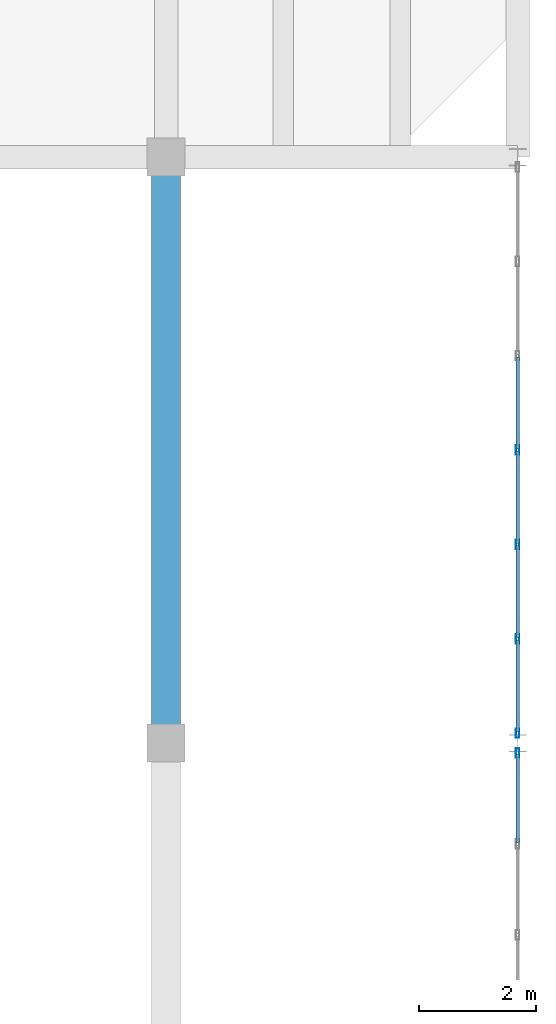
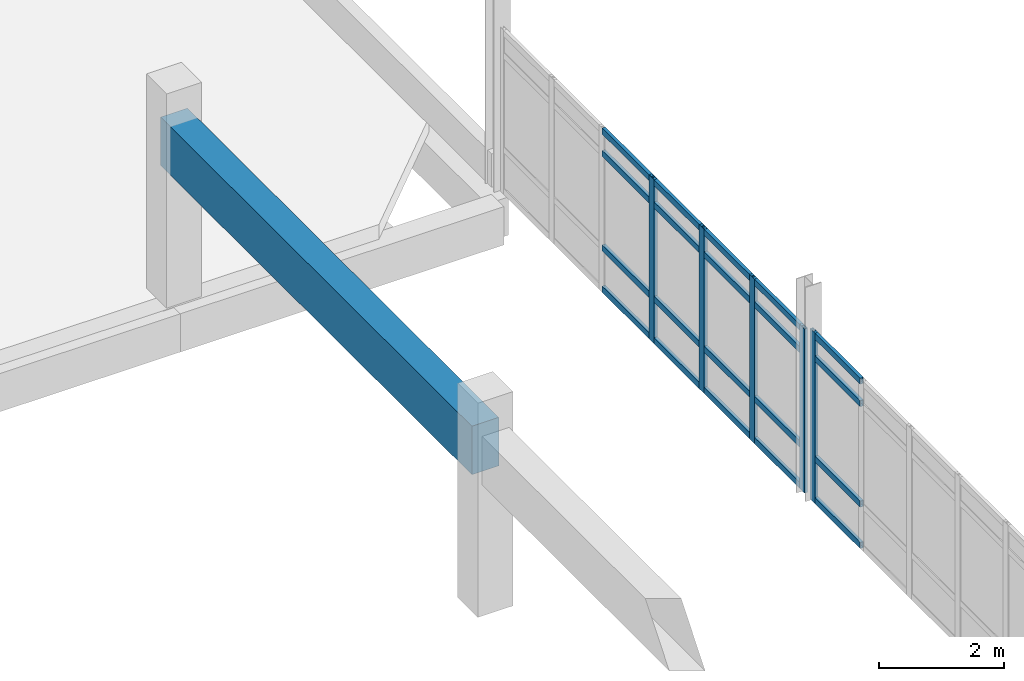
# One storey, part 86 of 111: 25 members, 1 beam, 2 elements without a shape of their own.
"""IFC4 building model written with IfcOpenShell, lengths in metres."""

from ifc_helpers import new_model, si_unit, direction, frame, origin, origin_2d, place, context, subcontext, project, spatial, rectangle, hollow_rectangle, extrude, material, layer, layer_set, material_profile, profile_set, type_object, element, aggregate, save


model = new_model("IFC4")

# Units and contexts
model_context = context("Model", 3, precision=1e-05, world=origin(), true_north=direction((0.0, 1.0)))
body_context = subcontext(model_context, "Body", "Model", "MODEL_VIEW")
ifc_project = project(units=[si_unit("LENGTHUNIT", "METRE"), si_unit("AREAUNIT", "SQUARE_METRE"), si_unit("VOLUMEUNIT", "CUBIC_METRE"), si_unit("PLANEANGLEUNIT", "RADIAN"), si_unit("MASSUNIT", "GRAM", prefix="KILO")], contexts=[model_context])

# Site, building, storey
site_placement = place(None, origin())
site = spatial("IfcSite", under=ifc_project, at=site_placement, CompositionType="ELEMENT")
building_placement = place(site_placement, origin())
building = spatial("IfcBuilding", under=site, at=building_placement, Name="Mersad Railyard Sports Hall", CompositionType="ELEMENT")
storey_placement = place(building_placement, frame((0.0, 0.0, 9.0)))
storey = spatial("IfcBuildingStorey", under=building, at=storey_placement, Name="L02", CompositionType="ELEMENT", Elevation=9.0)

# Curtain wall, member
ifc_material_1 = material(Name="Aluminium 6063-T6", Category="aluminium")
ifc_layer_1 = layer(ifc_material_1, 0.159912109375)
ifc_layer_set_1 = layer_set([ifc_layer_1], Name="Aluminium 6063-T6")
curtain_wall_type_1 = type_object("IfcCurtainWallType", Name="ARC-CW-CW20", PredefinedType="USERDEFINED", material=ifc_layer_set_1)
curtain_wall_1_placement = place(storey_placement, origin())
curtain_wall_1 = element("IfcCurtainWall", 1, at=curtain_wall_1_placement, inside=storey, type_object=curtain_wall_type_1, Name="Curtain wall CW20-0059", ObjectType="CURTAIN WALL", PredefinedType="USERDEFINED")
ifc_material_profile_1 = material_profile(ifc_material_1, hollow_rectangle(XDim=0.06005859375, YDim=0.159912109375, WallThickness=0.00390625, at=origin_2d()), Name="AL MULLION 60x160x4")
ifc_profile_set_1 = profile_set([ifc_material_profile_1], Name="Aluminium 6063-T6")
member_type_1 = type_object("IfcMemberType", Name="ARC-CW-MUL01", PredefinedType="MULLION", material=ifc_profile_set_1)
member_1_placement = place(storey_placement, frame((179.0, 84.830078125, -0.02001953125), z_axis=(0.0, 0.0, 1.0), x_axis=(1.0, 0.0, 0.0)))
member_1 = element("IfcMember", 2, at=member_1_placement, type_object=member_type_1, Name="CW20 Mullion 1", PredefinedType="MULLION", context=body_context, shape_type="SweptSolid", body=[
    extrude(hollow_rectangle(XDim=0.06005859375, YDim=0.159912109375, WallThickness=0.00390625, at=origin_2d()), origin(), (0.0, 0.0, 1.0), 3.340087890625),
])

# Curtain wall, members
ifc_layer_2 = layer(ifc_material_1, 0.159912109375)
ifc_layer_set_2 = layer_set([ifc_layer_2], Name="Aluminium 6063-T6")
curtain_wall_type_2 = type_object("IfcCurtainWallType", Name="ARC-CW-CW23", PredefinedType="USERDEFINED", material=ifc_layer_set_2)
curtain_wall_2_placement = place(storey_placement, origin())
curtain_wall_2 = element("IfcCurtainWall", 3, at=curtain_wall_2_placement, inside=storey, type_object=curtain_wall_type_2, Name="Curtain wall CW23-0062", ObjectType="CURTAIN WALL", PredefinedType="USERDEFINED")
member_2_placement = place(storey_placement, frame((179.0, 90.0, -0.02001953125), z_axis=(0.0, 0.0, 1.0), x_axis=(1.0, 0.0, 0.0)))
member_2 = element("IfcMember", 4, at=member_2_placement, type_object=member_type_1, Name="CW23 Mullion 4", PredefinedType="MULLION", context=body_context, shape_type="SweptSolid", body=[
    extrude(hollow_rectangle(XDim=0.06005859375, YDim=0.159912109375, WallThickness=0.00390625, at=origin_2d()), origin(), (0.0, 0.0, 1.0), 3.219970703125),
])
member_3_placement = place(storey_placement, frame((179.0, 88.389892578125, -0.02001953125), z_axis=(0.0, 0.0, 1.0), x_axis=(1.0, 0.0, 0.0)))
member_3 = element("IfcMember", 5, at=member_3_placement, type_object=member_type_1, Name="CW23 Mullion 5", PredefinedType="MULLION", context=body_context, shape_type="SweptSolid", body=[
    extrude(hollow_rectangle(XDim=0.06005859375, YDim=0.159912109375, WallThickness=0.00390625, at=origin_2d()), origin(), (0.0, 0.0, 1.0), 3.219970703125),
])
member_4_placement = place(storey_placement, frame((179.0, 86.780029296875, -0.02001953125), z_axis=(0.0, 0.0, 1.0), x_axis=(1.0, 0.0, 0.0)))
member_4 = element("IfcMember", 6, at=member_4_placement, type_object=member_type_1, Name="CW23 Mullion 6", PredefinedType="MULLION", context=body_context, shape_type="SweptSolid", body=[
    extrude(hollow_rectangle(XDim=0.06005859375, YDim=0.159912109375, WallThickness=0.00390625, at=origin_2d()), origin(), (0.0, 0.0, 1.0), 3.219970703125),
])
member_5_placement = place(storey_placement, frame((179.0, 85.169921875, -0.02001953125), z_axis=(0.0, 0.0, 1.0), x_axis=(1.0, 0.0, 0.0)))
member_5 = element("IfcMember", 7, at=member_5_placement, type_object=member_type_1, Name="CW23 Mullion 7", PredefinedType="MULLION", context=body_context, shape_type="SweptSolid", body=[
    extrude(hollow_rectangle(XDim=0.06005859375, YDim=0.159912109375, WallThickness=0.00390625, at=origin_2d()), origin(), (0.0, 0.0, 1.0), 3.219970703125),
])

# Member
ifc_material_profile_2 = material_profile(ifc_material_1, hollow_rectangle(XDim=0.06005859375, YDim=0.1201171875, WallThickness=0.00390625, at=origin_2d()), Name="AL TRANSOM 60x120x4")
ifc_profile_set_2 = profile_set([ifc_material_profile_2], Name="Aluminium 6063-T6")
member_type_2 = type_object("IfcMemberType", Name="ARC-CW-TRN01", PredefinedType="USERDEFINED", material=ifc_profile_set_2)
member_6_placement = place(storey_placement, frame((179.0, 84.81005859375, 0.0400390625), z_axis=(0.0, -1.0, 0.0), x_axis=(1.0, 0.0, 0.0)))
member_6 = element("IfcMember", 8, at=member_6_placement, type_object=member_type_2, Name="CW20 Transom 1-1", ObjectType="TRANSOM", PredefinedType="USERDEFINED", context=body_context, shape_type="SweptSolid", body=[
    extrude(hollow_rectangle(XDim=0.06005859375, YDim=0.1201171875, WallThickness=0.00390625, at=origin_2d()), origin(), (0.0, 0.0, 1.0), 1.511474609375),
])

member_7_placement = place(storey_placement, frame((179.0, 84.81005859375, 0.85009765625), z_axis=(0.0, -1.0, 0.0), x_axis=(1.0, 0.0, 0.0)))
member_7 = element("IfcMember", 9, at=member_7_placement, type_object=member_type_2, Name="CW20 Transom 2-1", ObjectType="TRANSOM", PredefinedType="USERDEFINED", context=body_context, shape_type="SweptSolid", body=[
    extrude(hollow_rectangle(XDim=0.06005859375, YDim=0.1201171875, WallThickness=0.00390625, at=origin_2d()), origin(), (0.0, 0.0, 1.0), 1.511474609375),
])

member_8_placement = place(storey_placement, frame((179.0, 84.81005859375, 2.820068359375), z_axis=(0.0, -1.0, 0.0), x_axis=(1.0, 0.0, 0.0)))
member_8 = element("IfcMember", 10, at=member_8_placement, type_object=member_type_2, Name="CW20 Transom 3-1", ObjectType="TRANSOM", PredefinedType="USERDEFINED", context=body_context, shape_type="SweptSolid", body=[
    extrude(hollow_rectangle(XDim=0.06005859375, YDim=0.1201171875, WallThickness=0.00390625, at=origin_2d()), origin(), (0.0, 0.0, 1.0), 1.511474609375),
])

member_9_placement = place(storey_placement, frame((179.0, 84.81005859375, 3.260009765625), z_axis=(0.0, -1.0, 0.0), x_axis=(1.0, 0.0, 0.0)))
member_9 = element("IfcMember", 11, at=member_9_placement, type_object=member_type_2, Name="CW20 Transom 4-1", ObjectType="TRANSOM", PredefinedType="USERDEFINED", context=body_context, shape_type="SweptSolid", body=[
    extrude(hollow_rectangle(XDim=0.06005859375, YDim=0.1201171875, WallThickness=0.00390625, at=origin_2d()), origin(), (0.0, 0.0, 1.0), 1.511474609375),
])

aggregate(curtain_wall_1, [member_1, member_6, member_7, member_8, member_9])

member_10_placement = place(storey_placement, frame((179.0, 91.590087890625, 0.0400390625), z_axis=(0.0, -1.0, 0.0), x_axis=(1.0, 0.0, 0.0)))
member_10 = element("IfcMember", 12, at=member_10_placement, type_object=member_type_2, Name="CW23 Transom 1-3", ObjectType="TRANSOM", PredefinedType="USERDEFINED", context=body_context, shape_type="SweptSolid", body=[
    extrude(hollow_rectangle(XDim=0.06005859375, YDim=0.1201171875, WallThickness=0.00390625, at=origin_2d()), origin(), (0.0, 0.0, 1.0), 1.570068359375),
])

member_11_placement = place(storey_placement, frame((179.0, 89.97998046875, 0.0400390625), z_axis=(0.0, -1.0, 0.0), x_axis=(1.0, 0.0, 0.0)))
member_11 = element("IfcMember", 13, at=member_11_placement, type_object=member_type_2, Name="CW23 Transom 1-4", ObjectType="TRANSOM", PredefinedType="USERDEFINED", context=body_context, shape_type="SweptSolid", body=[
    extrude(hollow_rectangle(XDim=0.06005859375, YDim=0.1201171875, WallThickness=0.00390625, at=origin_2d()), origin(), (0.0, 0.0, 1.0), 1.570068359375),
])

member_12_placement = place(storey_placement, frame((179.0, 88.3701171875, 0.0400390625), z_axis=(0.0, -1.0, 0.0), x_axis=(1.0, 0.0, 0.0)))
member_12 = element("IfcMember", 14, at=member_12_placement, type_object=member_type_2, Name="CW23 Transom 1-5", ObjectType="TRANSOM", PredefinedType="USERDEFINED", context=body_context, shape_type="SweptSolid", body=[
    extrude(hollow_rectangle(XDim=0.06005859375, YDim=0.1201171875, WallThickness=0.00390625, at=origin_2d()), origin(), (0.0, 0.0, 1.0), 1.570068359375),
])

member_13_placement = place(storey_placement, frame((179.0, 86.760009765625, 0.0400390625), z_axis=(0.0, -1.0, 0.0), x_axis=(1.0, 0.0, 0.0)))
member_13 = element("IfcMember", 15, at=member_13_placement, type_object=member_type_2, Name="CW23 Transom 1-6", ObjectType="TRANSOM", PredefinedType="USERDEFINED", context=body_context, shape_type="SweptSolid", body=[
    extrude(hollow_rectangle(XDim=0.06005859375, YDim=0.1201171875, WallThickness=0.00390625, at=origin_2d()), origin(), (0.0, 0.0, 1.0), 1.570068359375),
])

member_14_placement = place(storey_placement, frame((179.0, 91.590087890625, 0.85009765625), z_axis=(0.0, -1.0, 0.0), x_axis=(1.0, 0.0, 0.0)))
member_14 = element("IfcMember", 16, at=member_14_placement, type_object=member_type_2, Name="CW23 Transom 2-3", ObjectType="TRANSOM", PredefinedType="USERDEFINED", context=body_context, shape_type="SweptSolid", body=[
    extrude(hollow_rectangle(XDim=0.06005859375, YDim=0.1201171875, WallThickness=0.00390625, at=origin_2d()), origin(), (0.0, 0.0, 1.0), 1.570068359375),
])

member_15_placement = place(storey_placement, frame((179.0, 89.97998046875, 0.85009765625), z_axis=(0.0, -1.0, 0.0), x_axis=(1.0, 0.0, 0.0)))
member_15 = element("IfcMember", 17, at=member_15_placement, type_object=member_type_2, Name="CW23 Transom 2-4", ObjectType="TRANSOM", PredefinedType="USERDEFINED", context=body_context, shape_type="SweptSolid", body=[
    extrude(hollow_rectangle(XDim=0.06005859375, YDim=0.1201171875, WallThickness=0.00390625, at=origin_2d()), origin(), (0.0, 0.0, 1.0), 1.570068359375),
])

member_16_placement = place(storey_placement, frame((179.0, 88.3701171875, 0.85009765625), z_axis=(0.0, -1.0, 0.0), x_axis=(1.0, 0.0, 0.0)))
member_16 = element("IfcMember", 18, at=member_16_placement, type_object=member_type_2, Name="CW23 Transom 2-5", ObjectType="TRANSOM", PredefinedType="USERDEFINED", context=body_context, shape_type="SweptSolid", body=[
    extrude(hollow_rectangle(XDim=0.06005859375, YDim=0.1201171875, WallThickness=0.00390625, at=origin_2d()), origin(), (0.0, 0.0, 1.0), 1.570068359375),
])

member_17_placement = place(storey_placement, frame((179.0, 86.760009765625, 0.85009765625), z_axis=(0.0, -1.0, 0.0), x_axis=(1.0, 0.0, 0.0)))
member_17 = element("IfcMember", 19, at=member_17_placement, type_object=member_type_2, Name="CW23 Transom 2-6", ObjectType="TRANSOM", PredefinedType="USERDEFINED", context=body_context, shape_type="SweptSolid", body=[
    extrude(hollow_rectangle(XDim=0.06005859375, YDim=0.1201171875, WallThickness=0.00390625, at=origin_2d()), origin(), (0.0, 0.0, 1.0), 1.570068359375),
])

member_18_placement = place(storey_placement, frame((179.0, 91.590087890625, 2.699951171875), z_axis=(0.0, -1.0, 0.0), x_axis=(1.0, 0.0, 0.0)))
member_18 = element("IfcMember", 20, at=member_18_placement, type_object=member_type_2, Name="CW23 Transom 3-3", ObjectType="TRANSOM", PredefinedType="USERDEFINED", context=body_context, shape_type="SweptSolid", body=[
    extrude(hollow_rectangle(XDim=0.06005859375, YDim=0.1201171875, WallThickness=0.00390625, at=origin_2d()), origin(), (0.0, 0.0, 1.0), 1.570068359375),
])

member_19_placement = place(storey_placement, frame((179.0, 89.97998046875, 2.699951171875), z_axis=(0.0, -1.0, 0.0), x_axis=(1.0, 0.0, 0.0)))
member_19 = element("IfcMember", 21, at=member_19_placement, type_object=member_type_2, Name="CW23 Transom 3-4", ObjectType="TRANSOM", PredefinedType="USERDEFINED", context=body_context, shape_type="SweptSolid", body=[
    extrude(hollow_rectangle(XDim=0.06005859375, YDim=0.1201171875, WallThickness=0.00390625, at=origin_2d()), origin(), (0.0, 0.0, 1.0), 1.570068359375),
])

member_20_placement = place(storey_placement, frame((179.0, 88.3701171875, 2.699951171875), z_axis=(0.0, -1.0, 0.0), x_axis=(1.0, 0.0, 0.0)))
member_20 = element("IfcMember", 22, at=member_20_placement, type_object=member_type_2, Name="CW23 Transom 3-5", ObjectType="TRANSOM", PredefinedType="USERDEFINED", context=body_context, shape_type="SweptSolid", body=[
    extrude(hollow_rectangle(XDim=0.06005859375, YDim=0.1201171875, WallThickness=0.00390625, at=origin_2d()), origin(), (0.0, 0.0, 1.0), 1.570068359375),
])

member_21_placement = place(storey_placement, frame((179.0, 86.760009765625, 2.699951171875), z_axis=(0.0, -1.0, 0.0), x_axis=(1.0, 0.0, 0.0)))
member_21 = element("IfcMember", 23, at=member_21_placement, type_object=member_type_2, Name="CW23 Transom 3-6", ObjectType="TRANSOM", PredefinedType="USERDEFINED", context=body_context, shape_type="SweptSolid", body=[
    extrude(hollow_rectangle(XDim=0.06005859375, YDim=0.1201171875, WallThickness=0.00390625, at=origin_2d()), origin(), (0.0, 0.0, 1.0), 1.570068359375),
])

member_22_placement = place(storey_placement, frame((179.0, 91.590087890625, 3.139892578125), z_axis=(0.0, -1.0, 0.0), x_axis=(1.0, 0.0, 0.0)))
member_22 = element("IfcMember", 24, at=member_22_placement, type_object=member_type_2, Name="CW23 Transom 4-3", ObjectType="TRANSOM", PredefinedType="USERDEFINED", context=body_context, shape_type="SweptSolid", body=[
    extrude(hollow_rectangle(XDim=0.06005859375, YDim=0.1201171875, WallThickness=0.00390625, at=origin_2d()), origin(), (0.0, 0.0, 1.0), 1.570068359375),
])

member_23_placement = place(storey_placement, frame((179.0, 89.97998046875, 3.139892578125), z_axis=(0.0, -1.0, 0.0), x_axis=(1.0, 0.0, 0.0)))
member_23 = element("IfcMember", 25, at=member_23_placement, type_object=member_type_2, Name="CW23 Transom 4-4", ObjectType="TRANSOM", PredefinedType="USERDEFINED", context=body_context, shape_type="SweptSolid", body=[
    extrude(hollow_rectangle(XDim=0.06005859375, YDim=0.1201171875, WallThickness=0.00390625, at=origin_2d()), origin(), (0.0, 0.0, 1.0), 1.570068359375),
])

member_24_placement = place(storey_placement, frame((179.0, 88.3701171875, 3.139892578125), z_axis=(0.0, -1.0, 0.0), x_axis=(1.0, 0.0, 0.0)))
member_24 = element("IfcMember", 26, at=member_24_placement, type_object=member_type_2, Name="CW23 Transom 4-5", ObjectType="TRANSOM", PredefinedType="USERDEFINED", context=body_context, shape_type="SweptSolid", body=[
    extrude(hollow_rectangle(XDim=0.06005859375, YDim=0.1201171875, WallThickness=0.00390625, at=origin_2d()), origin(), (0.0, 0.0, 1.0), 1.570068359375),
])

member_25_placement = place(storey_placement, frame((179.0, 86.760009765625, 3.139892578125), z_axis=(0.0, -1.0, 0.0), x_axis=(1.0, 0.0, 0.0)))
member_25 = element("IfcMember", 27, at=member_25_placement, type_object=member_type_2, Name="CW23 Transom 4-6", ObjectType="TRANSOM", PredefinedType="USERDEFINED", context=body_context, shape_type="SweptSolid", body=[
    extrude(hollow_rectangle(XDim=0.06005859375, YDim=0.1201171875, WallThickness=0.00390625, at=origin_2d()), origin(), (0.0, 0.0, 1.0), 1.570068359375),
])

aggregate(curtain_wall_2, [member_2, member_3, member_4, member_5, member_10, member_11, member_12, member_13, member_14, member_15, member_16, member_17, member_18, member_19, member_20, member_21, member_22, member_23, member_24, member_25])

# Beam
ifc_material_2 = material(Name="Concrete C50/60", Category="concrete")
ifc_material_profile_3 = material_profile(ifc_material_2, rectangle(XDim=0.5, YDim=0.949951171875, at=origin_2d()), Name="RC 500x950")
ifc_profile_set_3 = profile_set([ifc_material_profile_3], Name="Concrete C50/60")
beam_type = type_object("IfcBeamType", Name="STR-BM-B03", PredefinedType="BEAM", material=ifc_profile_set_3)
beam_placement = place(storey_placement, frame((173.0, 85.0, 3.050048828125), z_axis=(0.0, 1.0, 0.0), x_axis=(-1.0, 0.0, 0.0)))
element("IfcBeam", 28, at=beam_placement, inside=storey, type_object=beam_type, Name="Beam B03-1579", PredefinedType="BEAM", context=body_context, shape_type="SweptSolid", body=[
    extrude(rectangle(XDim=0.5, YDim=0.949951171875, at=origin_2d()), origin(), (0.0, 0.0, 1.0), 10.0),
])

save(model, "model.ifc")
